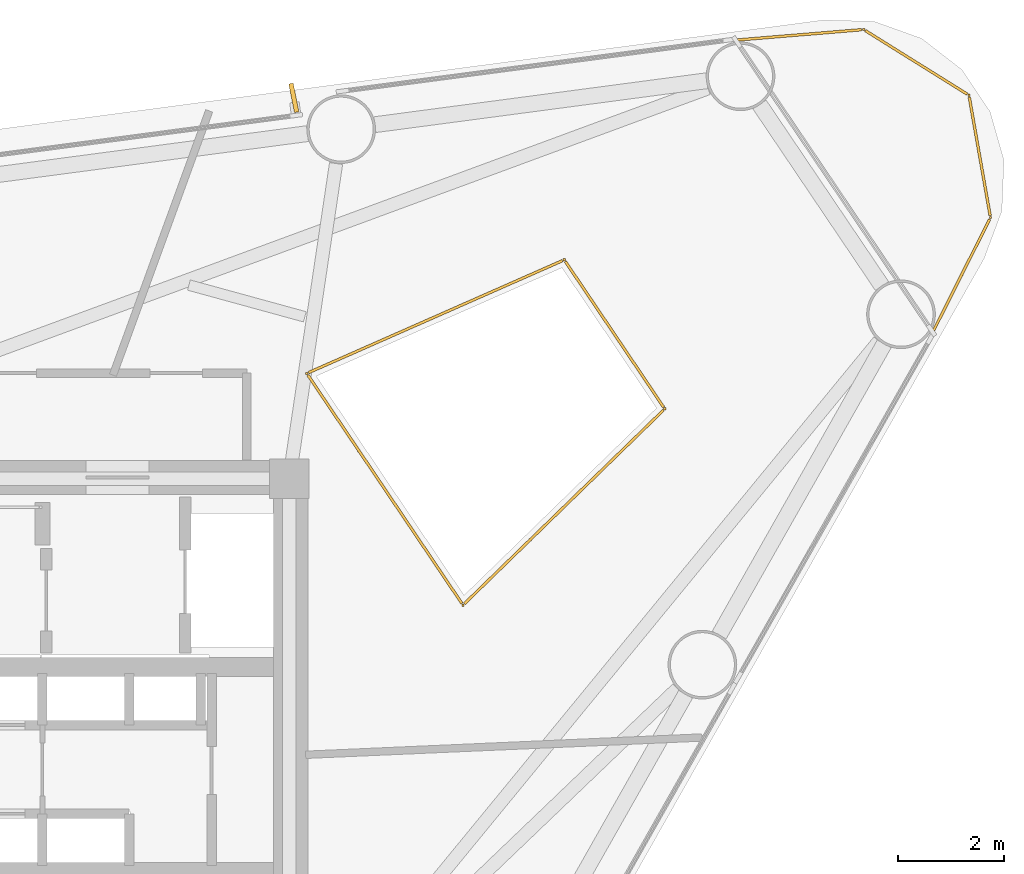
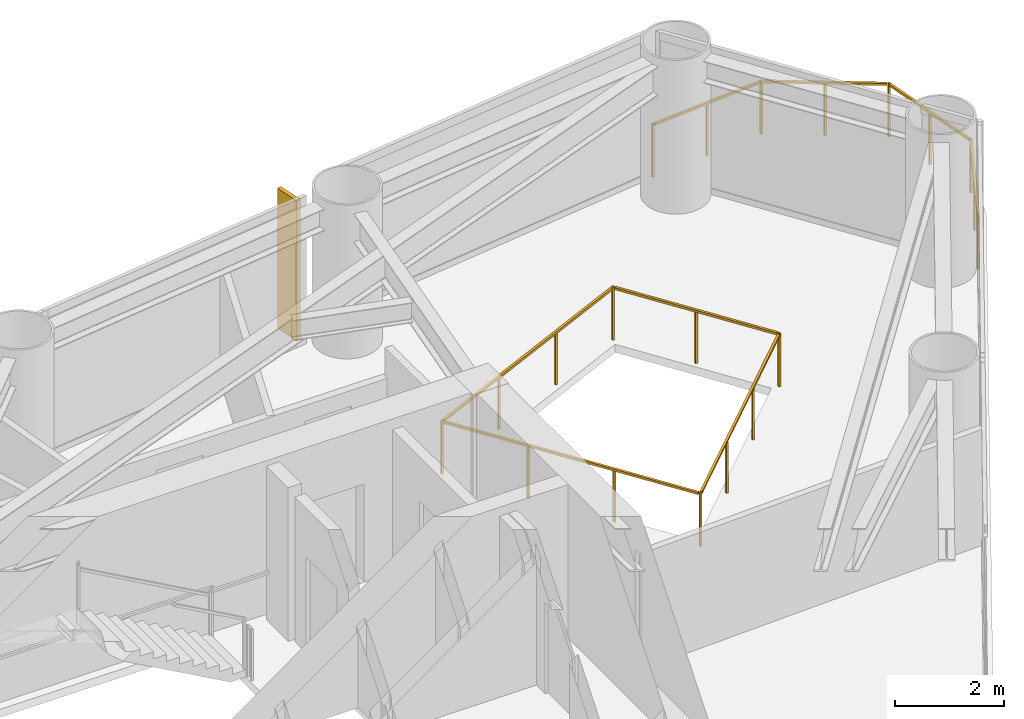
# One storey, part 9 of 9: 2 railings, 1 shading device.
"""IFC4 building model written with IfcOpenShell, lengths in metres."""

import ifcopenshell
import ifcopenshell.guid

model = None  # the IFC model being written
_history = None  # IfcOwnerHistory: only IFC2X3 demands one
_inside = {}  # id of a spatial element -> (the spatial element, [elements in it])
_under = {}  # id of a project, library or spatial element -> (it, [spatial elements below it])
_declared = {}  # id of a project -> (the project, [libraries it declares])
_typed = {}  # id of a type object -> (the type object, [elements of that type])
_made_of = {}  # id of a material, layer set ... -> (it, [elements and type objects made of it])


def new_model(schema):
    """Start an empty IFC model of exactly this schema.

    Asked for "IFC4X3", IfcOpenShell would pick the latest addendum, in which some entities
    have other attributes; the version numbers below select the first issue.
    IFC2X3 requires an IfcOwnerHistory on every rooted entity: one is made here for all.
    """
    global model, _history
    if schema == "IFC4X3":
        model = ifcopenshell.file(schema_version=(4, 3, 0, 0))
    else:
        model = ifcopenshell.file(schema=schema)
    _inside.clear()
    _under.clear()
    _declared.clear()
    _typed.clear()
    _made_of.clear()
    _history = None
    if model.schema == "IFC2X3":
        org = make("IfcOrganization", Name="unknown")
        user = make(
            "IfcPersonAndOrganization",
            ThePerson=make("IfcPerson", FamilyName="unknown"),
            TheOrganization=org,
        )
        app = make(
            "IfcApplication",
            ApplicationDeveloper=org,
            Version="unknown",
            ApplicationFullName="unknown",
            ApplicationIdentifier="unknown",
        )
        _history = make(
            "IfcOwnerHistory",
            OwningUser=user,
            OwningApplication=app,
            ChangeAction="ADDED",
            CreationDate=0,
        )
    return model


def make(cls, **values):
    """One entity of the class cls with the attributes given. An attribute that is None is left unset."""
    return model.create_entity(
        cls, **{name: value for name, value in values.items() if value is not None}
    )


def rooted(cls, **values):
    """An entity with a GlobalId (a new one), such as an element, a storey or a relation."""
    return make(cls, GlobalId=ifcopenshell.guid.new(), OwnerHistory=_history, **values)


def si_unit(unit_type, name, prefix=None):
    """IfcSIUnit, for example si_unit("LENGTHUNIT", "METRE", prefix="MILLI")."""
    return make("IfcSIUnit", UnitType=unit_type, Prefix=prefix, Name=name)


def assignment(units):
    """IfcUnitAssignment: the units of a project."""
    return None if units is None else make("IfcUnitAssignment", Units=units)


def point(xyz):
    """IfcCartesianPoint."""
    return None if xyz is None else make("IfcCartesianPoint", Coordinates=xyz)


def direction(xyz):
    """IfcDirection."""
    return None if xyz is None else make("IfcDirection", DirectionRatios=xyz)


def frame(location, z_axis=None, x_axis=None):
    """IfcAxis2Placement3D, a coordinate frame: its origin and axes. An axis left out is left unset."""
    return make(
        "IfcAxis2Placement3D",
        Location=point(location),
        Axis=direction(z_axis),
        RefDirection=direction(x_axis),
    )


def frame_2d(location, x_axis=None):
    """IfcAxis2Placement2D, a coordinate frame in the plane: its origin and x axis."""
    return make(
        "IfcAxis2Placement2D", Location=point(location), RefDirection=direction(x_axis)
    )


def origin():
    """The frame at (0, 0, 0) with its axes left unset."""
    return frame((0.0, 0.0, 0.0))


def origin_2d():
    """The frame at (0, 0) in the plane with its x axis left unset."""
    return frame_2d((0.0, 0.0))


def place(relative_to, where):
    """IfcLocalPlacement: puts the frame where relative to a parent placement (None: the world)."""
    return make(
        "IfcLocalPlacement", PlacementRelTo=relative_to, RelativePlacement=where
    )


def context(
    kind, dimensions, precision=None, world=None, true_north=None, identifier=None
):
    """IfcGeometricRepresentationContext, for example the 3D "Model" context."""
    return make(
        "IfcGeometricRepresentationContext",
        ContextIdentifier=identifier,
        ContextType=kind,
        CoordinateSpaceDimension=dimensions,
        Precision=precision,
        WorldCoordinateSystem=world,
        TrueNorth=true_north,
    )


def subcontext(parent, identifier, kind, view, scale=None):
    """IfcGeometricRepresentationSubContext, for example "Body" below "Model"."""
    return make(
        "IfcGeometricRepresentationSubContext",
        ContextIdentifier=identifier,
        ContextType=kind,
        ParentContext=parent,
        TargetScale=scale,
        TargetView=view,
    )


def project(units=None, contexts=None):
    """IfcProject with its units and contexts."""
    return rooted(
        "IfcProject",
        Name="project",
        RepresentationContexts=contexts,
        UnitsInContext=assignment(units),
    )


def spatial(cls, under=None, at=None, **own):
    """A site, building, storey or space (cls), placed at a placement, below another one or the project."""
    s = rooted(cls, ObjectPlacement=at, **own)
    if under is not None:
        _under.setdefault(under.id(), (under, []))[1].append(s)
    return s


def profile(cls, at=None, kind="AREA", **sizes):
    """A parametric profile (cls). Its sizes go by their IFC names, for example OverallWidth=200.0."""
    return make(cls, ProfileType=kind, Position=at, **sizes)


def rectangle(**sizes):
    """IfcRectangleProfileDef."""
    return profile("IfcRectangleProfileDef", **sizes)


def extrude(swept, where, along, depth):
    """IfcExtrudedAreaSolid: the profile swept, set in the frame where, extruded along a direction by depth."""
    return make(
        "IfcExtrudedAreaSolid",
        SweptArea=swept,
        Position=where,
        ExtrudedDirection=direction(along),
        Depth=depth,
    )


def shape(context_of_items, identifier, shape_type, items):
    """IfcShapeRepresentation: the items that make up one representation, for example the "Body"."""
    return make(
        "IfcShapeRepresentation",
        ContextOfItems=context_of_items,
        RepresentationIdentifier=identifier,
        RepresentationType=shape_type,
        Items=items,
    )


def source(mapping_origin, context_of_items, identifier, shape_type, items):
    """IfcRepresentationMap: a shape defined once, which mapped items show again and again."""
    return make(
        "IfcRepresentationMap",
        MappingOrigin=mapping_origin,
        MappedRepresentation=shape(context_of_items, identifier, shape_type, items),
    )


def transform(
    local_origin,
    x_axis=None,
    y_axis=None,
    z_axis=None,
    scale=None,
    scale2=None,
    scale3=None,
    uniform=True,
):
    """IfcCartesianTransformationOperator3D, or its non-uniform kind. x_axis, y_axis, z_axis: its Axis1, 2, 3."""
    if uniform:
        return make(
            "IfcCartesianTransformationOperator3D",
            Axis1=direction(x_axis),
            Axis2=direction(y_axis),
            LocalOrigin=point(local_origin),
            Scale=scale,
            Axis3=direction(z_axis),
        )
    return make(
        "IfcCartesianTransformationOperator3DnonUniform",
        Axis1=direction(x_axis),
        Axis2=direction(y_axis),
        LocalOrigin=point(local_origin),
        Scale=scale,
        Axis3=direction(z_axis),
        Scale2=scale2,
        Scale3=scale3,
    )


def mapped(mapping_source, mapping_target):
    """IfcMappedItem: shows the shape of a source again, moved by a transform."""
    return make(
        "IfcMappedItem", MappingSource=mapping_source, MappingTarget=mapping_target
    )


def material(Name=None, Category=None):
    """IfcMaterial."""
    return make("IfcMaterial", Name=Name, Category=Category)


def material_profile(
    of_material, cross_section, Name=None, Category=None, Priority=None
):
    """IfcMaterialProfile: a cross section and its material."""
    return make(
        "IfcMaterialProfile",
        Name=Name,
        Material=of_material,
        Profile=cross_section,
        Priority=Priority,
        Category=Category,
    )


def profile_set(profiles, Name=None, composite=None):
    """IfcMaterialProfileSet."""
    return make(
        "IfcMaterialProfileSet",
        Name=Name,
        MaterialProfiles=profiles,
        CompositeProfile=composite,
    )


def made_of(thing, what):
    """Note that an element or type object is made of a material, layer set ...; save() writes the relation."""
    if what is not None:
        _made_of.setdefault(what.id(), (what, []))[1].append(thing)
    return thing


def type_object(cls, material=None, **own):
    """A type object (cls), such as IfcWallType, which elements share."""
    return made_of(rooted(cls, **own), material)


def element(
    cls,
    number,
    at=None,
    inside=None,
    cuts=None,
    type_object=None,
    material=None,
    context=None,
    identifier="Body",
    shape_type=None,
    held_by="IfcProductDefinitionShape",
    body=None,
    shapes=None,
    **own,
):
    """One element of the class cls, such as IfcWall. Its Tag is "e" and its number.

    at: its placement. inside: the storey or other place that contains it. cuts: it is an
    opening in that element (IfcRelVoidsElement). A single representation is given by context,
    identifier, shape_type and body (its items); several are given by shapes. held_by: the class
    of the entity that holds the representations. save() writes the other relations.
    """
    e = rooted(cls, Tag="e%d" % number, ObjectPlacement=at, **own)
    if body is not None:
        shapes = [shape(context, identifier, shape_type, body)]
    if shapes is not None:
        e.Representation = make(held_by, Representations=shapes)
    if inside is not None:
        _inside.setdefault(inside.id(), (inside, []))[1].append(e)
    if cuts is not None:
        rooted(
            "IfcRelVoidsElement", RelatingBuildingElement=cuts, RelatedOpeningElement=e
        )
    if type_object is not None:
        _typed.setdefault(type_object.id(), (type_object, []))[1].append(e)
    return made_of(e, material)


def aggregate(whole, parts):
    """IfcRelAggregates: a whole, such as a stair, and the parts it consists of."""
    return rooted("IfcRelAggregates", RelatingObject=whole, RelatedObjects=parts)


def save(model, path):
    """Write the relations noted so far, then the file.

    IfcRelAggregates (storeys below a building ...), IfcRelContainedInSpatialStructure (elements
    in a storey), IfcRelDefinesByType, IfcRelAssociatesMaterial and IfcRelDeclares: one each for
    every whole, place, type object, material and project.
    """
    for whole, parts in _under.values():
        aggregate(whole, parts)
    for where, things in _inside.values():
        rooted(
            "IfcRelContainedInSpatialStructure",
            RelatedElements=things,
            RelatingStructure=where,
        )
    for kind, things in _typed.values():
        rooted("IfcRelDefinesByType", RelatedObjects=things, RelatingType=kind)
    for what, things in _made_of.values():
        rooted("IfcRelAssociatesMaterial", RelatedObjects=things, RelatingMaterial=what)
    for by, libraries in _declared.values():
        rooted("IfcRelDeclares", RelatingContext=by, RelatedDefinitions=libraries)
    model.write(path)


model = new_model("IFC4")

# Units and contexts
model_context = context("Model", 3, precision=1e-05, world=origin(), true_north=direction((0.0, 1.0)))
body_context = subcontext(model_context, "Body", "Model", "MODEL_VIEW")
ifc_project = project(units=[si_unit("LENGTHUNIT", "METRE"), si_unit("AREAUNIT", "SQUARE_METRE"), si_unit("VOLUMEUNIT", "CUBIC_METRE"), si_unit("PLANEANGLEUNIT", "RADIAN"), si_unit("MASSUNIT", "GRAM", prefix="KILO")], contexts=[model_context])

# Site, building, storey
site_placement = place(None, origin())
site = spatial("IfcSite", under=ifc_project, at=site_placement, CompositionType="ELEMENT")
building_placement = place(site_placement, origin())
building = spatial("IfcBuilding", under=site, at=building_placement, Name="Yunling Apex Tower", CompositionType="ELEMENT")
storey_placement = place(building_placement, frame((0.0, 0.0, 162.199951171875)))
storey = spatial("IfcBuildingStorey", under=building, at=storey_placement, Name="L39", CompositionType="ELEMENT", Elevation=162.199951171875)

# Railings
ifc_material = material(Name="Bronze anodised aluminium", Category="aluminium")
railing_type = type_object("IfcRailingType", Name="RL-BAL-1200", PredefinedType="BALUSTRADE", material=ifc_material)
railing_1_placement = place(storey_placement, frame((14.496337890625, 13.798095703125, 0.0)))
element("IfcRailing", 1, at=railing_1_placement, inside=storey, type_object=railing_type, Name="RL-CRNSILL-L39-1", PredefinedType="BALUSTRADE", context=body_context, shape_type="SweptSolid", body=[
    extrude(rectangle(XDim=0.0439453125, YDim=0.0439453125, at=origin_2d()), origin(), (0.0, 0.0, 1.0), 1.199951171875),
    extrude(rectangle(XDim=0.0439453125, YDim=0.0439453125, at=origin_2d()), frame((2.421142578125, 0.2001953125, 0.0)), (0.0, 0.0, 1.0), 1.199951171875),
    extrude(rectangle(XDim=0.050048828125, YDim=0.050048828125, at=origin_2d()), frame((0.0380859375, 0.003173828125, 1.1748046875), z_axis=(0.99659891826, 0.082405073407, 0.0), x_axis=(-0.082405073407, 0.99659891826, 0.0)), (0.0, 0.0, 1.0), 2.352783203125),
    extrude(rectangle(XDim=0.0439453125, YDim=0.0439453125, at=origin_2d()), frame((1.21044921875, 0.10009765625, 0.0)), (0.0, 0.0, 1.0), 1.14599609375),
    extrude(rectangle(XDim=0.0439453125, YDim=0.0439453125, at=origin_2d()), frame((4.412841796875, -1.043701171875, 0.0)), (0.0, 0.0, 1.0), 1.199951171875),
    extrude(rectangle(XDim=0.050048828125, YDim=0.050048828125, at=origin_2d()), frame((2.45361328125, 0.179931640625, 1.1748046875), z_axis=(0.84817348515, -0.52971854705, 0.0), x_axis=(0.52971854705, 0.84817348515, 0.0)), (0.0, 0.0, 1.0), 2.271484375),
    extrude(rectangle(XDim=0.0439453125, YDim=0.0439453125, at=origin_2d()), frame((3.4169921875, -0.421875, 0.0)), (0.0, 0.0, 1.0), 1.14599609375),
    extrude(rectangle(XDim=0.0439453125, YDim=0.0439453125, at=origin_2d()), frame((4.820068359375, -3.356201171875, 0.0)), (0.0, 0.0, 1.0), 1.199951171875),
    extrude(rectangle(XDim=0.050048828125, YDim=0.050048828125, at=origin_2d()), frame((4.41943359375, -1.08154296875, 1.1748046875), z_axis=(0.173429436748, -0.984846297891, 0.0), x_axis=(0.984846297891, 0.173429436748, 0.0)), (0.0, 0.0, 1.0), 2.271484375),
    extrude(rectangle(XDim=0.0439453125, YDim=0.0439453125, at=origin_2d()), frame((4.616455078125, -2.199951171875, 0.0)), (0.0, 0.0, 1.0), 1.14599609375),
    extrude(rectangle(XDim=0.0439453125, YDim=0.0439453125, at=origin_2d()), frame((3.7275390625, -5.526123046875, 0.0)), (0.0, 0.0, 1.0), 1.199951171875),
    extrude(rectangle(XDim=0.050048828125, YDim=0.050048828125, at=origin_2d()), frame((4.802734375, -3.390380859375, 1.1748046875), z_axis=(-0.449704074189, -0.893177611485, 0.0), x_axis=(0.893177611485, -0.449704074189, 0.0)), (0.0, 0.0, 1.0), 2.352783203125),
    extrude(rectangle(XDim=0.0439453125, YDim=0.0439453125, at=origin_2d()), frame((4.27392578125, -4.441162109375, 0.0)), (0.0, 0.0, 1.0), 1.14599609375),
])
railing_2_placement = place(storey_placement, frame((6.381103515625, 7.49267578125, 0.0)))
element("IfcRailing", 2, at=railing_2_placement, inside=storey, type_object=railing_type, Name="RL-TATR-L39", PredefinedType="BALUSTRADE", context=body_context, shape_type="SweptSolid", body=[
    extrude(rectangle(XDim=0.0439453125, YDim=0.0439453125, at=origin_2d()), origin(), (0.0, 0.0, 1.0), 1.199951171875),
    extrude(rectangle(XDim=0.0439453125, YDim=0.0439453125, at=origin_2d()), frame((4.87158203125, 2.1484375, 0.0)), (0.0, 0.0, 1.0), 1.199951171875),
    extrude(rectangle(XDim=0.050048828125, YDim=0.050048828125, at=origin_2d()), frame((0.03515625, 0.015380859375, 1.1748046875), z_axis=(0.914972578992, 0.403516021606, 0.0), x_axis=(-0.403516021606, 0.914972578992, 0.0)), (0.0, 0.0, 1.0), 5.24755859375),
    extrude(rectangle(XDim=0.0439453125, YDim=0.0439453125, at=origin_2d()), frame((1.623779296875, 0.716064453125, 0.0)), (0.0, 0.0, 1.0), 1.14599609375),
    extrude(rectangle(XDim=0.0439453125, YDim=0.0439453125, at=origin_2d()), frame((3.247802734375, 1.432373046875, 0.0)), (0.0, 0.0, 1.0), 1.14599609375),
    extrude(rectangle(XDim=0.0439453125, YDim=0.0439453125, at=origin_2d()), frame((6.773193359375, -0.6708984375, 0.0)), (0.0, 0.0, 1.0), 1.199951171875),
    extrude(rectangle(XDim=0.050048828125, YDim=0.050048828125, at=origin_2d()), frame((4.89306640625, 2.11669921875, 1.1748046875), z_axis=(0.559181833343, -0.829045039343, 0.0), x_axis=(0.829045039343, 0.559181833343, 0.0)), (0.0, 0.0, 1.0), 3.323974609375),
    extrude(rectangle(XDim=0.0439453125, YDim=0.0439453125, at=origin_2d()), frame((5.822265625, 0.73876953125, 0.0)), (0.0, 0.0, 1.0), 1.14599609375),
    extrude(rectangle(XDim=0.0439453125, YDim=0.0439453125, at=origin_2d()), frame((2.956298828125, -4.383056640625, 0.0)), (0.0, 0.0, 1.0), 1.199951171875),
    extrude(rectangle(XDim=0.050048828125, YDim=0.050048828125, at=origin_2d()), frame((6.74560546875, -0.697509765625, 1.1748046875), z_axis=(-0.71687395367, -0.697202792987, 0.0), x_axis=(0.697202792987, -0.71687395367, 0.0)), (0.0, 0.0, 1.0), 5.247802734375),
    extrude(rectangle(XDim=0.0439453125, YDim=0.0439453125, at=origin_2d()), frame((5.5009765625, -1.908203125, 0.0)), (0.0, 0.0, 1.0), 1.14599609375),
    extrude(rectangle(XDim=0.0439453125, YDim=0.0439453125, at=origin_2d()), frame((4.228515625, -3.145751953125, 0.0)), (0.0, 0.0, 1.0), 1.14599609375),
    extrude(rectangle(XDim=0.050048828125, YDim=0.050048828125, at=origin_2d()), frame((2.934814453125, -4.351318359375, 1.1748046875), z_axis=(-0.559178576396, 0.829047236109, 0.0), x_axis=(-0.829047236109, -0.559178576396, 0.0)), (0.0, 0.0, 1.0), 5.210205078125),
    extrude(rectangle(XDim=0.0439453125, YDim=0.0439453125, at=origin_2d()), frame((1.970947265625, -2.922119140625, 0.0)), (0.0, 0.0, 1.0), 1.14599609375),
    extrude(rectangle(XDim=0.0439453125, YDim=0.0439453125, at=origin_2d()), frame((0.9853515625, -1.4609375, 0.0)), (0.0, 0.0, 1.0), 1.14599609375),
])

# Shading device
ifc_material_profile = material_profile(ifc_material, rectangle(XDim=0.0849609375, YDim=0.550048828125, at=origin_2d()))
ifc_profile_set = profile_set([ifc_material_profile], Name="Bronze anodised aluminium")
shading_device_type = type_object("IfcShadingDeviceType", Name="FN-BRZ-3", PredefinedType="USERDEFINED", material=ifc_profile_set)
shared_shape = source(origin(), body_context, "Body", "SweptSolid", [
    extrude(rectangle(XDim=0.0849609375, YDim=0.550048828125, at=origin_2d()), origin(), (0.0, 0.0, 1.0), 3.14990234375),
])
shading_device_placement = place(storey_placement, frame((6.13671875, 12.706787109375, 0.06005859375), z_axis=(0.0, 0.0, 1.0), x_axis=(-0.980648842665, -0.195774991714, 0.0)))
element("IfcShadingDevice", 3, at=shading_device_placement, inside=storey, type_object=shading_device_type, Name="CW-L39-F2-B2-FIN-01", ObjectType="FIN", PredefinedType="USERDEFINED", context=body_context, shape_type="MappedRepresentation", body=[
    mapped(shared_shape, transform((0.0, 0.0, 0.0), scale=1.0)),
])

save(model, "model.ifc")
